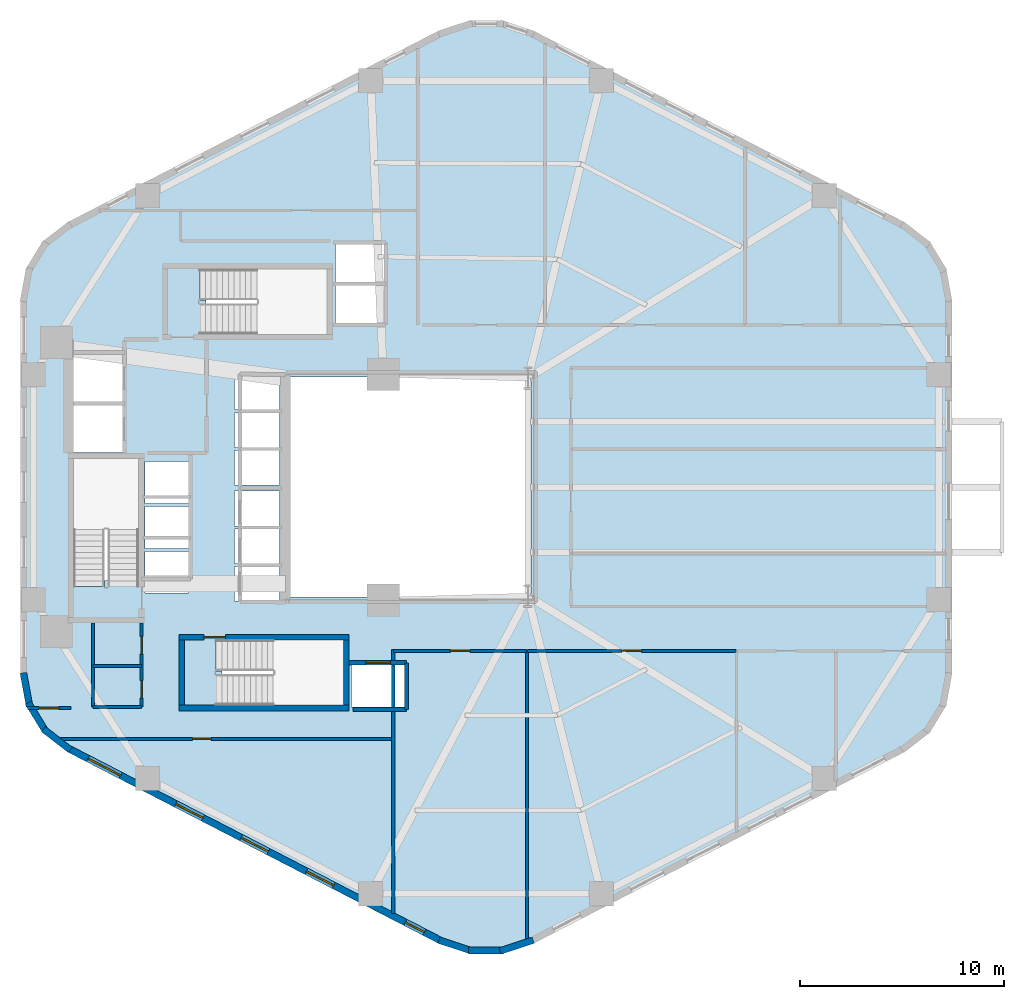
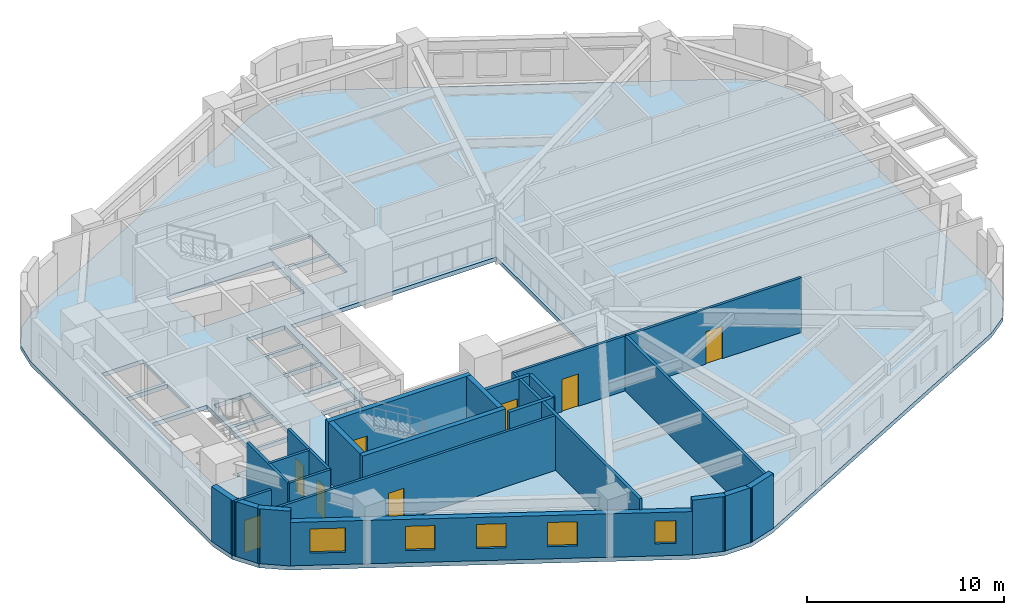
# One storey, part 2 of 6: 24 walls, 8 doors, 5 windows, 1 slab, 13 openings.
"""IFC4 building model written with IfcOpenShell, lengths in metres."""

from ifc_helpers import new_model, si_unit, direction, frame, frame_2d, origin, place, context, subcontext, project, spatial, polyline, rectangle, outline, extrude, material, layer, layer_set, type_object, element, fill, save


model = new_model("IFC4")

# Units and contexts
model_context = context("Model", 3, precision=1e-05, world=origin(), true_north=direction((0.0, 1.0)))
body_context = subcontext(model_context, "Body", "Model", "MODEL_VIEW")
ifc_project = project(units=[si_unit("LENGTHUNIT", "METRE"), si_unit("AREAUNIT", "SQUARE_METRE"), si_unit("VOLUMEUNIT", "CUBIC_METRE"), si_unit("PLANEANGLEUNIT", "RADIAN"), si_unit("MASSUNIT", "GRAM", prefix="KILO"), si_unit("THERMODYNAMICTEMPERATUREUNIT", "KELVIN"), si_unit("POWERUNIT", "WATT")], contexts=[model_context])

# Site, building, storey
site_placement = place(None, origin())
site = spatial("IfcSite", under=ifc_project, at=site_placement, CompositionType="ELEMENT")
building_placement = place(site_placement, origin())
building = spatial("IfcBuilding", under=site, at=building_placement, Name="Skarre Station Tower", CompositionType="ELEMENT")
storey_placement = place(building_placement, frame((0.0, 0.0, 67.14990234375)))
storey = spatial("IfcBuildingStorey", under=building, at=storey_placement, Name="L17", CompositionType="ELEMENT", Elevation=67.14990234375)

# Slab
ifc_material_1 = material(Name="Concrete C50/60", Category="concrete")
ifc_layer_1 = layer(ifc_material_1, 0.260009765625, Name="Concrete C50/60")
ifc_layer_set_1 = layer_set([ifc_layer_1], Name="Concrete C50/60")
slab_type = type_object("IfcSlabType", Name="Tower Typical Composite Floor Slab 260", PredefinedType="FLOOR", material=ifc_layer_set_1)
slab_placement = place(storey_placement, frame((0.0, 0.0, -0.260009765625)))
element("IfcSlab", 1, at=slab_placement, inside=storey, type_object=slab_type, Name="L17 Zone 1 Structural Floor Slab", PredefinedType="FLOOR", context=body_context, shape_type="SweptSolid", body=[
    extrude(outline(polyline([(60.262939453125, 33.201904296875), (59.98193359375, 34.72412109375), (59.177001953125, 36.044921875), (57.9541015625, 36.991943359375), (39.708984375, 46.407958984375), (38.196044921875, 46.906005859375), (36.60400390625, 46.906005859375), (35.091064453125, 46.407958984375), (16.845947265625, 36.991943359375), (15.623046875, 36.044921875), (14.818115234375, 34.72412109375), (14.537109375, 33.201904296875), (14.537109375, 14.798095703125), (14.818115234375, 13.27587890625), (15.623046875, 11.955078125), (16.845947265625, 11.008056640625), (35.091064453125, 1.592041015625), (36.60400390625, 1.093994140625), (38.196044921875, 1.093994140625), (39.708984375, 1.592041015625), (57.9541015625, 11.008056640625), (59.177001953125, 11.955078125), (59.98193359375, 13.27587890625), (60.262939453125, 14.798095703125), (60.262939453125, 33.201904296875)]), holes=[polyline([(18.669921875, 19.419921875), (18.669921875, 19.123046875), (17.14990234375, 19.123046875), (17.14990234375, 25.39990234375), (20.35009765625, 25.39990234375), (20.35009765625, 19.419921875), (18.669921875, 19.419921875)]), polyline([(24.449951171875, 14.97998046875), (24.153076171875, 14.97998046875), (24.153076171875, 16.5), (30.39990234375, 16.5), (30.39990234375, 13.300048828125), (24.449951171875, 13.300048828125), (24.449951171875, 14.97998046875)]), polyline([(23.64990234375, 33.179931640625), (23.35302734375, 33.179931640625), (23.35302734375, 34.699951171875), (29.60009765625, 34.699951171875), (29.60009765625, 31.5), (23.64990234375, 31.5), (23.64990234375, 33.179931640625)]), polyline([(17.14990234375, 28.0), (19.550048828125, 28.0), (19.550048828125, 25.699951171875), (17.14990234375, 25.699951171875), (17.14990234375, 28.0)]), polyline([(17.14990234375, 30.5), (19.550048828125, 30.5), (19.550048828125, 28.199951171875), (17.14990234375, 28.199951171875), (17.14990234375, 30.5)]), polyline([(30.800048828125, 15.300048828125), (33.39990234375, 15.300048828125), (33.39990234375, 13.199951171875), (30.800048828125, 13.199951171875), (30.800048828125, 15.300048828125)]), polyline([(25.050048828125, 20.10009765625), (27.25, 20.10009765625), (27.25, 18.39990234375), (25.050048828125, 18.39990234375), (25.050048828125, 20.10009765625)]), polyline([(25.050048828125, 21.949951171875), (27.25, 21.949951171875), (27.25, 20.25), (25.050048828125, 20.25), (25.050048828125, 21.949951171875)]), polyline([(25.050048828125, 23.800048828125), (27.25, 23.800048828125), (27.25, 22.10009765625), (25.050048828125, 22.10009765625), (25.050048828125, 23.800048828125)]), polyline([(25.050048828125, 25.800048828125), (27.25, 25.800048828125), (27.25, 24.10009765625), (25.050048828125, 24.10009765625), (25.050048828125, 25.800048828125)]), polyline([(25.050048828125, 27.64990234375), (27.25, 27.64990234375), (27.25, 25.949951171875), (25.050048828125, 25.949951171875), (25.050048828125, 27.64990234375)]), polyline([(25.050048828125, 29.5), (27.25, 29.5), (27.25, 27.800048828125), (25.050048828125, 27.800048828125), (25.050048828125, 29.5)]), polyline([(20.64990234375, 20.85009765625), (22.800048828125, 20.85009765625), (22.800048828125, 18.800048828125), (20.64990234375, 18.800048828125), (20.64990234375, 20.85009765625)]), polyline([(20.64990234375, 23.050048828125), (22.800048828125, 23.050048828125), (22.800048828125, 21.0), (20.64990234375, 21.0), (20.64990234375, 23.050048828125)]), polyline([(20.64990234375, 25.25), (22.800048828125, 25.25), (22.800048828125, 23.199951171875), (20.64990234375, 23.199951171875), (20.64990234375, 25.25)]), polyline([(30.0, 33.89990234375), (32.39990234375, 33.89990234375), (32.39990234375, 32.050048828125), (30.0, 32.050048828125), (30.0, 33.89990234375)]), polyline([(30.0, 35.89990234375), (32.39990234375, 35.89990234375), (32.39990234375, 34.050048828125), (30.0, 34.050048828125), (30.0, 35.89990234375)]), polyline([(27.60009765625, 29.39990234375), (39.60009765625, 29.39990234375), (39.60009765625, 18.60009765625), (27.60009765625, 18.60009765625), (27.60009765625, 29.39990234375)])]), origin(), (0.0, 0.0, 1.0), 0.260009765625),
])

# Walls
ifc_material_2 = material(Name="Acoustic Steel-Stud Gypsum Partition", Category="steel")
ifc_layer_2 = layer(ifc_material_2, 0.14990234375, Name="Acoustic Steel-Stud Gypsum Partition")
ifc_layer_set_2 = layer_set([ifc_layer_2], Name="Acoustic Steel-Stud Gypsum Partition")
wall_type_1 = type_object("IfcWallType", Name="Fire-Rated Corridor Acoustic Partition 150", PredefinedType="PARTITIONING", material=ifc_layer_set_2)
wall_1_placement = place(storey_placement, frame((18.10009765625, 17.340087890625, 0.0), z_axis=(0.0, 0.0, 1.0), x_axis=(0.0, -1.0, 0.0)))
element("IfcWall", 2, at=wall_1_placement, inside=storey, type_object=wall_type_1, Name="L17 Interior Partition WL-PT-L17-CSVC-W", PredefinedType="PARTITIONING", context=body_context, shape_type="SweptSolid", body=[
    extrude(rectangle(XDim=4.14013671875, YDim=0.14990234375, at=frame_2d((2.070068359375, 0.0))), origin(), (0.0, 0.0, 1.0), 3.39013671875),
])
for number, where, z_axis, x_axis, name in (
    (3, (18.10009765625, 13.199951171875, 0.0), (0.0, 0.0, 1.0), (1.0, 0.0, 0.0), "L17 Interior Partition WL-PT-L17-CSVC-S"),
    (4, (18.10009765625, 15.219970703125, 0.0), (0.0, 0.0, 1.0), (1.0, 0.0, 0.0), "L17 Interior Partition WL-PT-L17-CSVC-M"),
):
    element("IfcWall", number, at=place(storey_placement, frame(where, z_axis=z_axis, x_axis=x_axis)), inside=storey, type_object=wall_type_1, Name=name, PredefinedType="PARTITIONING", context=body_context, shape_type="SweptSolid", body=[
        extrude(rectangle(XDim=2.389892578125, YDim=0.14990234375, at=frame_2d((1.19482421875, 0.0))), origin(), (0.0, 0.0, 1.0), 3.39013671875),
    ])

# Wall, openings, doors
wall_2_placement = place(storey_placement, frame((20.489990234375, 13.199951171875, 0.0), z_axis=(0.0, 0.0, 1.0), x_axis=(0.0, 1.0, 0.0)))
wall_2 = element("IfcWall", 5, at=wall_2_placement, inside=storey, type_object=wall_type_1, Name="L17 Interior Partition WL-PT-L17-CSVC-E", PredefinedType="PARTITIONING", context=body_context, shape_type="SweptSolid", body=[
    extrude(rectangle(XDim=4.14013671875, YDim=0.14990234375, at=frame_2d((2.070068359375, 0.0))), origin(), (0.0, 0.0, 1.0), 3.39013671875),
])
opening_1_placement = place(wall_2_placement, frame((0.449951171875, 0.0, 0.0)))
opening_1 = element("IfcOpeningElement", 6, at=opening_1_placement, cuts=wall_2, Name="Opening DR-SVC86", PredefinedType="OPENING", context=body_context, shape_type="SweptSolid", body=[
    extrude(rectangle(XDim=0.860107421875, YDim=2.0, at=frame_2d((0.43017578125, 1.0))), frame((0.0, 0.0849609375, 0.0), z_axis=(0.0, -1.0, 0.0), x_axis=(1.0, 0.0, 0.0)), (0.0, 0.0, 1.0), 0.169921875),
])
opening_2_placement = place(wall_2_placement, frame((2.60009765625, 0.0, 0.0)))
opening_2 = element("IfcOpeningElement", 7, at=opening_2_placement, cuts=wall_2, Name="Opening DR-SVC86", PredefinedType="OPENING", context=body_context, shape_type="SweptSolid", body=[
    extrude(rectangle(XDim=0.860107421875, YDim=2.0, at=frame_2d((0.43017578125, 1.0))), frame((0.0, 0.0849609375, 0.0), z_axis=(0.0, -1.0, 0.0), x_axis=(1.0, 0.0, 0.0)), (0.0, 0.0, 1.0), 0.169921875),
])
ifc_material_3 = material(Name="Powder-Coated Hollow-Metal Acoustic Fire Leaf", Category="steel")
door_type_1 = type_object("IfcDoorType", Name="Compact Riser Fire Door FD60 860x2100", OperationType="SINGLE_SWING_LEFT", PredefinedType="DOOR", material=ifc_material_3)
door_1_placement = place(opening_1_placement, origin())
door_1 = element("IfcDoor", 8, at=door_1_placement, inside=storey, type_object=door_type_1, Name="L17 Vending Room Door", OperationType="SINGLE_SWING_LEFT", OverallHeight=2.0, OverallWidth=0.860107421875, PredefinedType="DOOR", context=body_context, shape_type="SweptSolid", body=[
    extrude(rectangle(XDim=0.860107421875, YDim=2.0, at=frame_2d((0.43017578125, 1.0))), frame((0.0, 0.02490234375, 0.0), z_axis=(0.0, -1.0, 0.0), x_axis=(1.0, 0.0, 0.0)), (0.0, 0.0, 1.0), 0.050048828125),
])
fill(opening_1, door_1)
door_2_placement = place(opening_2_placement, origin())
door_2 = element("IfcDoor", 9, at=door_2_placement, inside=storey, type_object=door_type_1, Name="L17 Linen Storage Door", OperationType="SINGLE_SWING_LEFT", OverallHeight=2.0, OverallWidth=0.860107421875, PredefinedType="DOOR", context=body_context, shape_type="SweptSolid", body=[
    extrude(rectangle(XDim=0.860107421875, YDim=2.0, at=frame_2d((0.43017578125, 1.0))), frame((0.0, 0.02490234375, 0.0), z_axis=(0.0, -1.0, 0.0), x_axis=(1.0, 0.0, 0.0)), (0.0, 0.0, 1.0), 0.050048828125),
])
fill(opening_2, door_2)

# Wall, opening, door
wall_3_placement = place(storey_placement, frame((16.487060546875, 11.639892578125, 0.0), z_axis=(0.0, 0.0, 1.0), x_axis=(1.0, 0.0, 0.0)))
wall_3 = element("IfcWall", 10, at=wall_3_placement, inside=storey, type_object=wall_type_1, Name="L17 Interior Partition WL-PT-L17-SWP-N", PredefinedType="PARTITIONING", context=body_context, shape_type="SweptSolid", body=[
    extrude(rectangle(XDim=16.363037109375, YDim=0.14990234375, at=frame_2d((8.181640625, 0.0))), origin(), (0.0, 0.0, 1.0), 3.39013671875),
])
opening_3_placement = place(wall_3_placement, frame((6.512939453125, 0.0, 0.0)))
opening_3 = element("IfcOpeningElement", 11, at=opening_3_placement, cuts=wall_3, Name="Opening DR-SVC90", PredefinedType="OPENING", context=body_context, shape_type="SweptSolid", body=[
    extrude(rectangle(XDim=0.89990234375, YDim=2.0, at=frame_2d((0.449951171875, 1.0))), frame((0.0, 0.0849609375, 0.0), z_axis=(0.0, -1.0, 0.0), x_axis=(1.0, 0.0, 0.0)), (0.0, 0.0, 1.0), 0.169921875),
])
door_type_2 = type_object("IfcDoorType", Name="Service & Riser Fire Door FD60 900x2100", OperationType="SINGLE_SWING_LEFT", PredefinedType="DOOR", material=ifc_material_3)
door_3_placement = place(opening_3_placement, origin())
door_3 = element("IfcDoor", 12, at=door_3_placement, inside=storey, type_object=door_type_2, Name="L17 Floor Public Toilets Door", OperationType="SINGLE_SWING_LEFT", OverallHeight=2.0, OverallWidth=0.89990234375, PredefinedType="DOOR", context=body_context, shape_type="SweptSolid", body=[
    extrude(rectangle(XDim=0.89990234375, YDim=2.0, at=frame_2d((0.449951171875, 1.0))), frame((0.0, 0.02490234375, 0.0), z_axis=(0.0, -1.0, 0.0), x_axis=(1.0, 0.0, 0.0)), (0.0, 0.0, 1.0), 0.050048828125),
])
fill(opening_3, door_3)

wall_4_placement = place(storey_placement, frame((17.02001953125, 13.159912109375, 0.0), z_axis=(0.0, 0.0, 1.0), x_axis=(-1.0, 0.0, 0.0)))
wall_4 = element("IfcWall", 13, at=wall_4_placement, inside=storey, type_object=wall_type_1, Name="L17 Interior Partition WL-PT-L17-WW1-CW", PredefinedType="PARTITIONING", context=body_context, shape_type="SweptSolid", body=[
    extrude(rectangle(XDim=2.1201171875, YDim=0.14990234375, at=frame_2d((1.06005859375, 0.0))), origin(), (0.0, 0.0, 1.0), 3.39013671875),
])
opening_4_placement = place(wall_4_placement, frame((0.596923828125, 0.0, 0.0)))
opening_4 = element("IfcOpeningElement", 14, at=opening_4_placement, cuts=wall_4, Name="Opening DR-FD60", PredefinedType="OPENING", context=body_context, shape_type="SweptSolid", body=[
    extrude(rectangle(XDim=0.9599609375, YDim=2.0, at=frame_2d((0.47998046875, 1.0))), frame((0.0, 0.0849609375, 0.0), z_axis=(0.0, -1.0, 0.0), x_axis=(1.0, 0.0, 0.0)), (0.0, 0.0, 1.0), 0.169921875),
])
ifc_material_4 = material(Name="Nordic White-Oak Veneer Solid-Core Fire Leaf", Category="wood")
door_type_3 = type_object("IfcDoorType", Name="Corridor Suite Entry Fire Door FD60 960x2150", OperationType="SINGLE_SWING_LEFT", PredefinedType="DOOR", material=ifc_material_4)
door_4_placement = place(opening_4_placement, origin())
door_4 = element("IfcDoor", 15, at=door_4_placement, inside=storey, type_object=door_type_3, Name="L17 WW1 Entry Door", OperationType="SINGLE_SWING_LEFT", OverallHeight=2.0, OverallWidth=0.9599609375, PredefinedType="DOOR", context=body_context, shape_type="SweptSolid", body=[
    extrude(rectangle(XDim=0.9599609375, YDim=2.0, at=frame_2d((0.47998046875, 1.0))), frame((0.0, 0.02490234375, 0.0), z_axis=(0.0, -1.0, 0.0), x_axis=(1.0, 0.0, 0.0)), (0.0, 0.0, 1.0), 0.050048828125),
])
fill(opening_4, door_4)

wall_5_placement = place(storey_placement, frame((32.85009765625, 15.9599609375, 0.0), z_axis=(0.0, 0.0, 1.0), x_axis=(1.0, 0.0, 0.0)))
wall_5 = element("IfcWall", 16, at=wall_5_placement, inside=storey, type_object=wall_type_1, Name="L17 Interior Partition WL-PT-L17-SW1-CW", PredefinedType="PARTITIONING", context=body_context, shape_type="SweptSolid", body=[
    extrude(rectangle(XDim=6.5419921875, YDim=0.14990234375, at=frame_2d((3.27099609375, 0.0))), origin(), (0.0, 0.0, 1.0), 3.39013671875),
])
opening_5_placement = place(wall_5_placement, frame((2.791015625, 0.0, 0.0)))
opening_5 = element("IfcOpeningElement", 17, at=opening_5_placement, cuts=wall_5, Name="Opening DR-FD60", PredefinedType="OPENING", context=body_context, shape_type="SweptSolid", body=[
    extrude(rectangle(XDim=0.9599609375, YDim=2.0, at=frame_2d((0.47998046875, 1.0))), frame((0.0, 0.0849609375, 0.0), z_axis=(0.0, -1.0, 0.0), x_axis=(1.0, 0.0, 0.0)), (0.0, 0.0, 1.0), 0.169921875),
])
door_5_placement = place(opening_5_placement, origin())
door_5 = element("IfcDoor", 18, at=door_5_placement, inside=storey, type_object=door_type_3, Name="L17 SW1 Entry Door", OperationType="SINGLE_SWING_LEFT", OverallHeight=2.0, OverallWidth=0.9599609375, PredefinedType="DOOR", context=body_context, shape_type="SweptSolid", body=[
    extrude(rectangle(XDim=0.9599609375, YDim=2.0, at=frame_2d((0.47998046875, 1.0))), frame((0.0, 0.02490234375, 0.0), z_axis=(0.0, -1.0, 0.0), x_axis=(1.0, 0.0, 0.0)), (0.0, 0.0, 1.0), 0.050048828125),
])
fill(opening_5, door_5)

wall_6_placement = place(storey_placement, frame((39.427978515625, 15.9599609375, 0.0), z_axis=(0.0, 0.0, 1.0), x_axis=(1.0, 0.0, 0.0)))
wall_6 = element("IfcWall", 19, at=wall_6_placement, inside=storey, type_object=wall_type_1, Name="L17 Interior Partition WL-PT-L17-SW2-CW", PredefinedType="PARTITIONING", context=body_context, shape_type="SweptSolid", body=[
    extrude(rectangle(XDim=10.240966796875, YDim=0.14990234375, at=frame_2d((5.12060546875, 0.0))), origin(), (0.0, 0.0, 1.0), 3.39013671875),
])
opening_6_placement = place(wall_6_placement, frame((4.64111328125, 0.0, 0.0)))
opening_6 = element("IfcOpeningElement", 20, at=opening_6_placement, cuts=wall_6, Name="Opening DR-FD60", PredefinedType="OPENING", context=body_context, shape_type="SweptSolid", body=[
    extrude(rectangle(XDim=0.9599609375, YDim=2.0, at=frame_2d((0.47998046875, 1.0))), frame((0.0, 0.0849609375, 0.0), z_axis=(0.0, -1.0, 0.0), x_axis=(1.0, 0.0, 0.0)), (0.0, 0.0, 1.0), 0.169921875),
])
door_6_placement = place(opening_6_placement, origin())
door_6 = element("IfcDoor", 21, at=door_6_placement, inside=storey, type_object=door_type_3, Name="L17 SW2 Entry Door", OperationType="SINGLE_SWING_LEFT", OverallHeight=2.0, OverallWidth=0.9599609375, PredefinedType="DOOR", context=body_context, shape_type="SweptSolid", body=[
    extrude(rectangle(XDim=0.9599609375, YDim=2.0, at=frame_2d((0.47998046875, 1.0))), frame((0.0, 0.02490234375, 0.0), z_axis=(0.0, -1.0, 0.0), x_axis=(1.0, 0.0, 0.0)), (0.0, 0.0, 1.0), 0.050048828125),
])
fill(opening_6, door_6)

# Wall, openings, windows
ifc_material_5 = material(Name="Precast concrete C45/55", Category="concrete")
ifc_layer_3 = layer(ifc_material_5, 0.340087890625, Name="Precast concrete C45/55")
ifc_layer_set_3 = layer_set([ifc_layer_3], Name="Precast concrete C45/55")
wall_type_2 = type_object("IfcWallType", Name="Nordic Honed Precast Facet Wall 340", PredefinedType="STANDARD", material=ifc_layer_set_3)
wall_7_placement = place(storey_placement, frame((35.1689453125, 1.742919921875, 0.0), z_axis=(0.0, 0.0, 1.0), x_axis=(-0.888634413993, 0.458616264721, 0.0)))
wall_7 = element("IfcWall", 22, at=wall_7_placement, inside=storey, type_object=wall_type_2, Name="L17 Facet 3 Nordic Precast Masonry Wall", PredefinedType="STANDARD", context=body_context, shape_type="SweptSolid", body=[
    extrude(rectangle(XDim=20.53125, YDim=0.340087890625, at=frame_2d((10.265625, 0.0))), origin(), (0.0, 0.0, 1.0), 2.68408203125),
])
opening_7_placement = place(wall_7_placement, frame((0.902099609375, 0.0, 0.75)))
opening_7 = element("IfcOpeningElement", 23, at=opening_7_placement, cuts=wall_7, Name="Opening WN-SLT", PredefinedType="OPENING", context=body_context, shape_type="SweptSolid", body=[
    extrude(rectangle(XDim=1.050048828125, YDim=1.39990234375, at=frame_2d((0.52490234375, 0.699951171875))), frame((0.0, 0.179931640625, 0.0), z_axis=(0.0, -1.0, 0.0), x_axis=(1.0, 0.0, 0.0)), (0.0, 0.0, 1.0), 0.360107421875),
])
opening_8_placement = place(wall_7_placement, frame((5.903076171875, 0.0, 0.75)))
opening_8 = element("IfcOpeningElement", 24, at=opening_8_placement, cuts=wall_7, Name="Opening WN-Z1B", PredefinedType="OPENING", context=body_context, shape_type="SweptSolid", body=[
    extrude(rectangle(XDim=1.5, YDim=1.5, at=frame_2d((0.75, 0.75))), frame((0.0, 0.179931640625, 0.0), z_axis=(0.0, -1.0, 0.0), x_axis=(1.0, 0.0, 0.0)), (0.0, 0.0, 1.0), 0.360107421875),
])
opening_9_placement = place(wall_7_placement, frame((9.51611328125, 0.0, 0.75)))
opening_9 = element("IfcOpeningElement", 25, at=opening_9_placement, cuts=wall_7, Name="Opening WN-Z1B", PredefinedType="OPENING", context=body_context, shape_type="SweptSolid", body=[
    extrude(rectangle(XDim=1.5, YDim=1.5, at=frame_2d((0.75, 0.75))), frame((0.0, 0.179931640625, 0.0), z_axis=(0.0, -1.0, 0.0), x_axis=(1.0, 0.0, 0.0)), (0.0, 0.0, 1.0), 0.360107421875),
])
opening_10_placement = place(wall_7_placement, frame((13.12890625, 0.0, 0.75)))
opening_10 = element("IfcOpeningElement", 26, at=opening_10_placement, cuts=wall_7, Name="Opening WN-Z1B", PredefinedType="OPENING", context=body_context, shape_type="SweptSolid", body=[
    extrude(rectangle(XDim=1.5, YDim=1.5, at=frame_2d((0.75, 0.75))), frame((0.0, 0.179931640625, 0.0), z_axis=(0.0, -1.0, 0.0), x_axis=(1.0, 0.0, 0.0)), (0.0, 0.0, 1.0), 0.360107421875),
])
opening_11_placement = place(wall_7_placement, frame((17.673095703125, 0.0, 0.75)))
opening_11 = element("IfcOpeningElement", 27, at=opening_11_placement, cuts=wall_7, Name="Opening WN-Z1A", PredefinedType="OPENING", context=body_context, shape_type="SweptSolid", body=[
    extrude(rectangle(XDim=1.800048828125, YDim=1.5, at=frame_2d((0.89990234375, 0.75))), frame((0.0, 0.179931640625, 0.0), z_axis=(0.0, -1.0, 0.0), x_axis=(1.0, 0.0, 0.0)), (0.0, 0.0, 1.0), 0.360107421875),
])
ifc_material_6 = material(Name="Low-Iron Triple Glazing with Bronze Anodized Frame", Category="glass")
window_type_1 = type_object("IfcWindowType", Name="Nordic Corner Slot Window 1050x1400", PartitioningType="SINGLE_PANEL", PredefinedType="WINDOW", material=ifc_material_6)
window_1_placement = place(opening_7_placement, origin())
window_1 = element("IfcWindow", 28, at=window_1_placement, inside=storey, type_object=window_type_1, Name="L17 Facade Window WL-FAC-L17-F3-1", OverallHeight=1.39990234375, OverallWidth=1.050048828125, PartitioningType="SINGLE_PANEL", PredefinedType="WINDOW", context=body_context, shape_type="SweptSolid", body=[
    extrude(rectangle(XDim=1.050048828125, YDim=1.39990234375, at=frame_2d((0.52490234375, 0.699951171875))), frame((0.0, 0.030029296875, 0.0), z_axis=(0.0, -1.0, 0.0), x_axis=(1.0, 0.0, 0.0)), (0.0, 0.0, 1.0), 0.06005859375),
])
fill(opening_7, window_1)
window_type_2 = type_object("IfcWindowType", Name="Nordic Punched Triple-Glazed Window 1500x1500", PartitioningType="SINGLE_PANEL", PredefinedType="WINDOW", material=ifc_material_6)
window_2_placement = place(opening_8_placement, origin())
window_2 = element("IfcWindow", 29, at=window_2_placement, inside=storey, type_object=window_type_2, Name="L17 Facade Window WL-FAC-L17-F3-2", OverallHeight=1.5, OverallWidth=1.5, PartitioningType="SINGLE_PANEL", PredefinedType="WINDOW", context=body_context, shape_type="SweptSolid", body=[
    extrude(rectangle(XDim=1.5, YDim=1.5, at=frame_2d((0.75, 0.75))), frame((0.0, 0.030029296875, 0.0), z_axis=(0.0, -1.0, 0.0), x_axis=(1.0, 0.0, 0.0)), (0.0, 0.0, 1.0), 0.06005859375),
])
fill(opening_8, window_2)
window_3_placement = place(opening_9_placement, origin())
window_3 = element("IfcWindow", 30, at=window_3_placement, inside=storey, type_object=window_type_2, Name="L17 Facade Window WL-FAC-L17-F3-3", OverallHeight=1.5, OverallWidth=1.5, PartitioningType="SINGLE_PANEL", PredefinedType="WINDOW", context=body_context, shape_type="SweptSolid", body=[
    extrude(rectangle(XDim=1.5, YDim=1.5, at=frame_2d((0.75, 0.75))), frame((0.0, 0.030029296875, 0.0), z_axis=(0.0, -1.0, 0.0), x_axis=(1.0, 0.0, 0.0)), (0.0, 0.0, 1.0), 0.06005859375),
])
fill(opening_9, window_3)
window_4_placement = place(opening_10_placement, origin())
window_4 = element("IfcWindow", 31, at=window_4_placement, inside=storey, type_object=window_type_2, Name="L17 Facade Window WL-FAC-L17-F3-4", OverallHeight=1.5, OverallWidth=1.5, PartitioningType="SINGLE_PANEL", PredefinedType="WINDOW", context=body_context, shape_type="SweptSolid", body=[
    extrude(rectangle(XDim=1.5, YDim=1.5, at=frame_2d((0.75, 0.75))), frame((0.0, 0.030029296875, 0.0), z_axis=(0.0, -1.0, 0.0), x_axis=(1.0, 0.0, 0.0)), (0.0, 0.0, 1.0), 0.06005859375),
])
fill(opening_10, window_4)
window_type_3 = type_object("IfcWindowType", Name="Nordic Punched Triple-Glazed Window 1800x1500", PartitioningType="SINGLE_PANEL", PredefinedType="WINDOW", material=ifc_material_6)
window_5_placement = place(opening_11_placement, origin())
window_5 = element("IfcWindow", 32, at=window_5_placement, inside=storey, type_object=window_type_3, Name="L17 Facade Window WL-FAC-L17-F3-5", OverallHeight=1.5, OverallWidth=1.800048828125, PartitioningType="SINGLE_PANEL", PredefinedType="WINDOW", context=body_context, shape_type="SweptSolid", body=[
    extrude(rectangle(XDim=1.800048828125, YDim=1.5, at=frame_2d((0.89990234375, 0.75))), frame((0.0, 0.030029296875, 0.0), z_axis=(0.0, -1.0, 0.0), x_axis=(1.0, 0.0, 0.0)), (0.0, 0.0, 1.0), 0.06005859375),
])
fill(opening_11, window_5)

# Walls
ifc_layer_4 = layer(ifc_material_5, 0.330078125, Name="Precast concrete C45/55")
ifc_layer_set_4 = layer_set([ifc_layer_4], Name="Precast concrete C45/55")
wall_type_3 = type_object("IfcWallType", Name="Nordic Rounded Corner Precast Wall 330", PredefinedType="STANDARD", material=ifc_layer_set_4)
wall_8_placement = place(storey_placement, frame((16.998046875, 11.09912109375, 0.0), z_axis=(0.0, 0.0, 1.0), x_axis=(-0.790691856293, 0.61221433207, 0.0)))
element("IfcWall", 33, at=wall_8_placement, inside=storey, type_object=wall_type_3, Name="L17 Rounded Corner Precast Wall F3-1", PredefinedType="STANDARD", context=body_context, shape_type="SweptSolid", body=[
    extrude(rectangle(XDim=1.67578125, YDim=0.330078125, at=frame_2d((0.837890625, 0.0))), origin(), (0.0, 0.0, 1.0), 3.39013671875),
])
wall_9_placement = place(storey_placement, frame((15.798095703125, 11.985107421875, 0.0), z_axis=(0.0, 0.0, 1.0), x_axis=(-0.520584129191, 0.853810379671, 0.0)))
element("IfcWall", 34, at=wall_9_placement, inside=storey, type_object=wall_type_3, Name="L17 Rounded Corner Precast Wall F3-2", PredefinedType="STANDARD", context=body_context, shape_type="SweptSolid", body=[
    extrude(rectangle(XDim=1.677001953125, YDim=0.330078125, at=frame_2d((0.83837890625, 0.0))), origin(), (0.0, 0.0, 1.0), 3.39013671875),
])
wall_10_placement = place(storey_placement, frame((14.991943359375, 13.241943359375, 0.0), z_axis=(0.0, 0.0, 1.0), x_axis=(-0.181714143354, 0.983351397063, 0.0)))
element("IfcWall", 35, at=wall_10_placement, inside=storey, type_object=wall_type_3, Name="L17 Rounded Corner Precast Wall F3-3", PredefinedType="STANDARD", context=body_context, shape_type="SweptSolid", body=[
    extrude(rectangle(XDim=1.677978515625, YDim=0.330078125, at=frame_2d((0.8388671875, 0.0))), origin(), (0.0, 0.0, 1.0), 3.39013671875),
])
wall_11_placement = place(storey_placement, frame((39.718994140625, 1.76904296875, 0.0), z_axis=(0.0, 0.0, 1.0), x_axis=(-0.94976901097, -0.312951794691, 0.0)))
element("IfcWall", 36, at=wall_11_placement, inside=storey, type_object=wall_type_3, Name="L17 Rounded Corner Precast Wall F4-1", PredefinedType="STANDARD", context=body_context, shape_type="SweptSolid", body=[
    extrude(rectangle(XDim=1.722412109375, YDim=0.330078125, at=frame_2d((0.861328125, 0.0))), origin(), (0.0, 0.0, 1.0), 3.39013671875),
])
wall_12_placement = place(storey_placement, frame((38.260986328125, 1.259033203125, 0.0), z_axis=(0.0, 0.0, 1.0), x_axis=(-1.0, 0.0, 0.0)))
element("IfcWall", 37, at=wall_12_placement, inside=storey, type_object=wall_type_3, Name="L17 Rounded Corner Precast Wall F4-2", PredefinedType="STANDARD", context=body_context, shape_type="SweptSolid", body=[
    extrude(rectangle(XDim=1.721923828125, YDim=0.330078125, at=frame_2d((0.86083984375, 0.0))), origin(), (0.0, 0.0, 1.0), 3.39013671875),
])
wall_13_placement = place(storey_placement, frame((36.717041015625, 1.22998046875, 0.0), z_axis=(0.0, 0.0, 1.0), x_axis=(-0.94976901097, 0.312951794691, 0.0)))
element("IfcWall", 38, at=wall_13_placement, inside=storey, type_object=wall_type_3, Name="L17 Rounded Corner Precast Wall F4-3", PredefinedType="STANDARD", context=body_context, shape_type="SweptSolid", body=[
    extrude(rectangle(XDim=1.722412109375, YDim=0.330078125, at=frame_2d((0.861328125, 0.0))), origin(), (0.0, 0.0, 1.0), 3.39013671875),
])
ifc_layer_5 = layer(ifc_material_1, 0.280029296875, Name="Concrete C50/60")
ifc_layer_set_5 = layer_set([ifc_layer_5], Name="Concrete C50/60")
wall_type_4 = type_object("IfcWallType", Name="RC Core Shear Wall 280", PredefinedType="SHEAR", material=ifc_layer_set_5)
wall_14_placement = place(storey_placement, frame((22.320068359375, 13.159912109375, 0.0), z_axis=(0.0, 0.0, 1.0), x_axis=(1.0, 0.0, 0.0)))
element("IfcWall", 39, at=wall_14_placement, inside=storey, type_object=wall_type_4, Name="L17 Stair ST-2 South Shear Wall", PredefinedType="SHEAR", context=body_context, shape_type="SweptSolid", body=[
    extrude(rectangle(XDim=8.35986328125, YDim=0.280029296875, at=frame_2d((4.179931640625, 0.0))), origin(), (0.0, 0.0, 1.0), 3.650146484375),
])

# Wall, opening, door
wall_15_placement = place(storey_placement, frame((30.679931640625, 16.639892578125, 0.0), z_axis=(0.0, 0.0, 1.0), x_axis=(-1.0, 0.0, 0.0)))
wall_15 = element("IfcWall", 40, at=wall_15_placement, inside=storey, type_object=wall_type_4, Name="L17 Stair ST-2 North Shear Wall", PredefinedType="SHEAR", context=body_context, shape_type="SweptSolid", body=[
    extrude(rectangle(XDim=8.35986328125, YDim=0.280029296875, at=frame_2d((4.179931640625, 0.0))), origin(), (0.0, 0.0, 1.0), 3.650146484375),
])
opening_12_placement = place(wall_15_placement, frame((6.080078125, 0.0, 0.0)))
opening_12 = element("IfcOpeningElement", 41, at=opening_12_placement, cuts=wall_15, Name="Opening DR-FD90", PredefinedType="OPENING", context=body_context, shape_type="SweptSolid", body=[
    extrude(rectangle(XDim=1.050048828125, YDim=2.0, at=frame_2d((0.52490234375, 1.0))), frame((0.0, 0.14990234375, 0.0), z_axis=(0.0, -1.0, 0.0), x_axis=(1.0, 0.0, 0.0)), (0.0, 0.0, 1.0), 0.300048828125),
])
ifc_material_7 = material(Name="Fire-Rated Insulated Steel Frame & Timber Core Leaf", Category="steel")
door_type_4 = type_object("IfcDoorType", Name="Stair & FSAE Lobby Fire Door FD90 1050x2150", OperationType="SINGLE_SWING_RIGHT", PredefinedType="DOOR", material=ifc_material_7)
door_7_placement = place(opening_12_placement, origin())
door_7 = element("IfcDoor", 42, at=door_7_placement, inside=storey, type_object=door_type_4, Name="L17 Stair ST-2 Exit Door", OperationType="SINGLE_SWING_RIGHT", OverallHeight=2.0, OverallWidth=1.050048828125, PredefinedType="DOOR", context=body_context, shape_type="SweptSolid", body=[
    extrude(rectangle(XDim=1.050048828125, YDim=2.0, at=frame_2d((0.52490234375, 1.0))), frame((0.0, 0.02490234375, 0.0), z_axis=(0.0, -1.0, 0.0), x_axis=(1.0, 0.0, 0.0)), (0.0, 0.0, 1.0), 0.050048828125),
])
fill(opening_12, door_7)

# Walls
for number, where, z_axis, x_axis, name in (
    (43, (22.4599609375, 16.5, 0.0), (0.0, 0.0, 1.0), (0.0, -1.0, 0.0), "L17 Stair ST-2 West Shear Wall"),
    (44, (30.5400390625, 13.300048828125, 0.0), (0.0, 0.0, 1.0), (0.0, 1.0, 0.0), "L17 Stair ST-2 East Shear Wall"),
):
    element("IfcWall", number, at=place(storey_placement, frame(where, z_axis=z_axis, x_axis=x_axis)), inside=storey, type_object=wall_type_4, Name=name, PredefinedType="SHEAR", context=body_context, shape_type="SweptSolid", body=[
        extrude(rectangle(XDim=3.199951171875, YDim=0.280029296875, at=frame_2d((1.60009765625, 0.0))), origin(), (0.0, 0.0, 1.0), 3.650146484375),
    ])

# Wall, opening, door
ifc_material_8 = material(Name="Gypsum Concrete Shaft Assembly C30/37", Category="concrete")
ifc_layer_6 = layer(ifc_material_8, 0.199951171875, Name="Gypsum Concrete Shaft Assembly C30/37")
ifc_layer_set_6 = layer_set([ifc_layer_6], Name="Gypsum Concrete Shaft Assembly C30/37")
wall_type_5 = type_object("IfcWallType", Name="Shaft & Core Fire Partition 200", PredefinedType="PARTITIONING", material=ifc_layer_set_6)
wall_16_placement = place(storey_placement, frame((33.5, 15.3798828125, 0.0), z_axis=(0.0, 0.0, 1.0), x_axis=(-1.0, 0.0, 0.0)))
wall_16 = element("IfcWall", 45, at=wall_16_placement, inside=storey, type_object=wall_type_5, Name="L17 Interior Partition WL-PT-L17-SV1-N", PredefinedType="PARTITIONING", context=body_context, shape_type="SweptSolid", body=[
    extrude(rectangle(XDim=2.820068359375, YDim=0.199951171875, at=frame_2d((1.41015625, 0.0))), origin(), (0.0, 0.0, 1.0), 3.39013671875),
])
opening_13_placement = place(wall_16_placement, frame((0.800048828125, 0.0, 0.0)))
opening_13 = element("IfcOpeningElement", 46, at=opening_13_placement, cuts=wall_16, Name="Opening LD-SV1", PredefinedType="OPENING", context=body_context, shape_type="SweptSolid", body=[
    extrude(rectangle(XDim=1.199951171875, YDim=2.199951171875, at=frame_2d((0.60009765625, 1.10009765625))), frame((0.0, 0.10986328125, 0.0), z_axis=(0.0, -1.0, 0.0), x_axis=(1.0, 0.0, 0.0)), (0.0, 0.0, 1.0), 0.219970703125),
])
ifc_material_9 = material(Name="Heavy-Gauge Brushed Stainless Steel Sliding Leaves", Category="steel")
door_type_5 = type_object("IfcDoorType", Name="Service Elevator Wide Sliding Landing Door 1200x2200", OperationType="SLIDING_TO_RIGHT", PredefinedType="DOOR", material=ifc_material_9)
door_8_placement = place(opening_13_placement, origin())
door_8 = element("IfcDoor", 47, at=door_8_placement, inside=storey, type_object=door_type_5, Name="L17 Service Lift LF-SV1 Landing Door", OperationType="SLIDING_TO_RIGHT", OverallHeight=2.199951171875, OverallWidth=1.199951171875, PredefinedType="DOOR", context=body_context, shape_type="SweptSolid", body=[
    extrude(rectangle(XDim=1.199951171875, YDim=2.199951171875, at=frame_2d((0.60009765625, 1.10009765625))), frame((0.0, 0.02490234375, 0.0), z_axis=(0.0, -1.0, 0.0), x_axis=(1.0, 0.0, 0.0)), (0.0, 0.0, 1.0), 0.050048828125),
])
fill(opening_13, door_8)

# Walls
wall_17_placement = place(storey_placement, frame((33.5, 13.080078125, 0.0), z_axis=(0.0, 0.0, 1.0), x_axis=(0.0, 1.0, 0.0)))
element("IfcWall", 48, at=wall_17_placement, inside=storey, type_object=wall_type_5, Name="L17 Interior Partition WL-PT-L17-SV1-E", PredefinedType="PARTITIONING", context=body_context, shape_type="SweptSolid", body=[
    extrude(rectangle(XDim=2.2998046875, YDim=0.199951171875, at=frame_2d((1.14990234375, 0.0))), origin(), (0.0, 0.0, 1.0), 3.39013671875),
])
wall_18_placement = place(storey_placement, frame((30.87890625, 13.080078125, 0.0), z_axis=(0.0, 0.0, 1.0), x_axis=(1.0, 0.0, 0.0)))
element("IfcWall", 49, at=wall_18_placement, inside=storey, type_object=wall_type_5, Name="L17 Interior Partition WL-PT-L17-SV1-S", PredefinedType="PARTITIONING", context=body_context, shape_type="SweptSolid", body=[
    extrude(rectangle(XDim=2.62109375, YDim=0.199951171875, at=frame_2d((1.310546875, 0.0))), origin(), (0.0, 0.0, 1.0), 3.39013671875),
])
ifc_layer_7 = layer(ifc_material_2, 0.1650390625, Name="Acoustic Steel-Stud Gypsum Partition")
ifc_layer_set_7 = layer_set([ifc_layer_7], Name="Acoustic Steel-Stud Gypsum Partition")
wall_type_6 = type_object("IfcWallType", Name="Suite Demising Acoustic Partition 165", PredefinedType="PARTITIONING", material=ifc_layer_set_7)
wall_19_placement = place(storey_placement, frame((32.85009765625, 3.06396484375, 0.0), z_axis=(0.0, 0.0, 1.0), x_axis=(0.0, 1.0, 0.0)))
element("IfcWall", 50, at=wall_19_placement, inside=storey, type_object=wall_type_6, Name="L17 Interior Partition WL-PT-L17-SWP-E", PredefinedType="PARTITIONING", context=body_context, shape_type="SweptSolid", body=[
    extrude(rectangle(XDim=12.966064453125, YDim=0.1650390625, at=frame_2d((6.48291015625, 0.0))), origin(), (0.0, 0.0, 1.0), 3.39013671875),
])
wall_20_placement = place(storey_placement, frame((39.409912109375, 1.799072265625, 0.0), z_axis=(0.0, 0.0, 1.0), x_axis=(0.0, 1.0, 0.0)))
element("IfcWall", 51, at=wall_20_placement, inside=storey, type_object=wall_type_6, Name="L17 Interior Partition WL-PT-L17-SW-P1", PredefinedType="PARTITIONING", context=body_context, shape_type="SweptSolid", body=[
    extrude(rectangle(XDim=14.130859375, YDim=0.1650390625, at=frame_2d((7.0654296875, 0.0))), origin(), (0.0, 0.0, 1.0), 3.39013671875),
])

save(model, "model.ifc")
